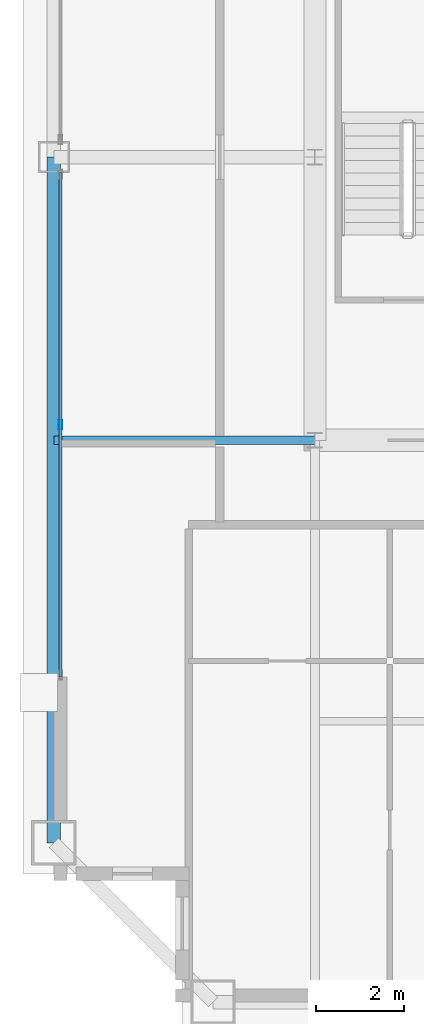
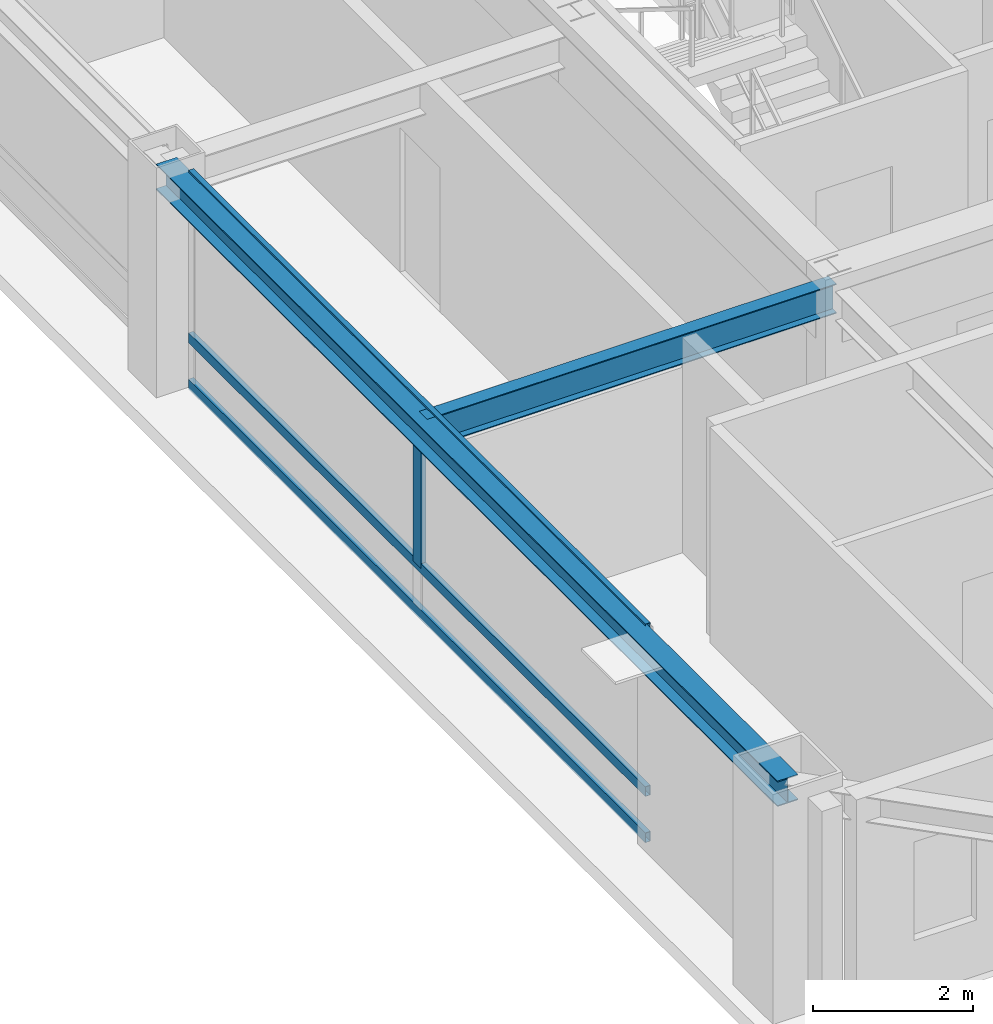
# One storey, part 6 of 34: 4 members, 2 beams, 1 element without a shape of its own.
"""IFC4 building model written with IfcOpenShell, lengths in metres."""

from ifc_helpers import new_model, si_unit, direction, frame, origin, origin_2d, place, context, subcontext, project, spatial, hollow_rectangle, i_section, extrude, source, transform, mapped, material, layer, layer_set, material_profile, profile_set, type_object, element, aggregate, save


model = new_model("IFC4")

# Units and contexts
model_context = context("Model", 3, precision=1e-05, world=origin(), true_north=direction((0.0, 1.0)))
body_context = subcontext(model_context, "Body", "Model", "MODEL_VIEW")
ifc_project = project(units=[si_unit("LENGTHUNIT", "METRE"), si_unit("AREAUNIT", "SQUARE_METRE"), si_unit("VOLUMEUNIT", "CUBIC_METRE"), si_unit("PLANEANGLEUNIT", "RADIAN"), si_unit("MASSUNIT", "GRAM", prefix="KILO"), si_unit("THERMODYNAMICTEMPERATUREUNIT", "KELVIN"), si_unit("POWERUNIT", "WATT")], contexts=[model_context])

# Site, building, storey
site_placement = place(None, origin())
site = spatial("IfcSite", under=ifc_project, at=site_placement, CompositionType="ELEMENT")
building_placement = place(site_placement, origin())
building = spatial("IfcBuilding", under=site, at=building_placement, Name="Yuzanri Waterfront Tower", CompositionType="ELEMENT")
storey_placement = place(building_placement, frame((0.0, 0.0, 325.199951171875)))
storey = spatial("IfcBuildingStorey", under=building, at=storey_placement, Name="L87", CompositionType="ELEMENT", Elevation=325.199951171875)

# Beams
ifc_material_1 = material(Name="Steel Q355B", Category="steel")
ifc_material_profile_1 = material_profile(ifc_material_1, i_section(OverallWidth=0.300048828125, OverallDepth=0.389892578125, WebThickness=0.010009765625, FlangeThickness=0.01611328125, at=origin_2d()), Name="HM 390x300x10x16")
ifc_profile_set_1 = profile_set([ifc_material_profile_1], Name="Steel Q355B")
beam_type_1 = type_object("IfcBeamType", Name="Perimeter Spandrel Q355B HM 390x300", PredefinedType="SPANDREL", material=ifc_profile_set_1)
shared_shape_1 = source(origin(), body_context, "Body", "SweptSolid", [
    extrude(i_section(OverallWidth=0.300048828125, OverallDepth=0.389892578125, WebThickness=0.010009765625, FlangeThickness=0.01611328125, at=origin_2d()), origin(), (0.0, 0.0, 1.0), 15.5),
])
beam_1_placement = place(storey_placement, frame((17.89990234375, 25.800048828125, 3.0849609375), z_axis=(0.0, -1.0, 0.0), x_axis=(1.0, 0.0, 0.0)))
element("IfcBeam", 1, at=beam_1_placement, inside=storey, type_object=beam_type_1, Name="L87 Perimeter Spandrel W2-W1", PredefinedType="SPANDREL", context=body_context, shape_type="MappedRepresentation", body=[
    mapped(shared_shape_1, transform((0.0, 0.0, 0.0), scale=1.0)),
])
ifc_material_2 = material(Name="Steel Q355B", Category="steel")
ifc_material_profile_2 = material_profile(ifc_material_2, i_section(OverallWidth=0.199951171875, OverallDepth=0.449951171875, WebThickness=0.009033203125, FlangeThickness=0.013916015625, at=origin_2d()), Name="HN 450x200x9x14")
ifc_profile_set_2 = profile_set([ifc_material_profile_2], Name="Steel Q355B")
beam_type_2 = type_object("IfcBeamType", Name="Secondary Floor Beam Q355B HN 450x200", PredefinedType="BEAM", material=ifc_profile_set_2)
shared_shape_2 = source(origin(), body_context, "Body", "SweptSolid", [
    extrude(i_section(OverallWidth=0.199951171875, OverallDepth=0.449951171875, WebThickness=0.009033203125, FlangeThickness=0.013916015625, at=origin_2d()), origin(), (0.0, 0.0, 1.0), 5.900146484375),
])
beam_2_placement = place(storey_placement, frame((23.800048828125, 19.39990234375, 3.054931640625), z_axis=(-1.0, 0.0, 0.0), x_axis=(0.0, -1.0, 0.0)))
element("IfcBeam", 2, at=beam_2_placement, inside=storey, type_object=beam_type_2, Name="L87 West-South Core Line Beam", PredefinedType="BEAM", context=body_context, shape_type="MappedRepresentation", body=[
    mapped(shared_shape_2, transform((0.0, 0.0, 0.0), scale=1.0)),
])

# Curtain wall, members
ifc_material_3 = material(Name="Anodized Architectural Bronze", Category="metal")
ifc_layer = layer(ifc_material_3, 0.159912109375)
ifc_layer_set = layer_set([ifc_layer], Name="Anodized Architectural Bronze")
curtain_wall_type = type_object("IfcCurtainWallType", Name="Anodized Bronze High-Rise Penthouse High-Wind Unitized Curtain Wall 6900", PredefinedType="NOTDEFINED", material=ifc_layer_set)
curtain_wall_placement = place(storey_placement, origin())
curtain_wall = element("IfcCurtainWall", 3, at=curtain_wall_placement, inside=storey, type_object=curtain_wall_type, Name="L87 Curtain Wall CW-L87-WL", PredefinedType="NOTDEFINED")
ifc_material_4 = material(Name="Anodized Architectural Bronze", Category="metal")
ifc_material_profile_3 = material_profile(ifc_material_4, hollow_rectangle(XDim=0.074951171875, YDim=0.199951171875, WallThickness=0.00390625, at=origin_2d()), Name="CWM 75x200")
ifc_profile_set_3 = profile_set([ifc_material_profile_3], Name="Anodized Architectural Bronze")
member_type_1 = type_object("IfcMemberType", Name="Anodized Bronze Primary Curtain-Wall Mullion 75x200", PredefinedType="MULLION", material=ifc_profile_set_3)
shared_shape_3 = source(origin(), body_context, "Body", "SweptSolid", [
    extrude(hollow_rectangle(XDim=0.074951171875, YDim=0.199951171875, WallThickness=0.00390625, at=origin_2d()), origin(), (0.0, 0.0, 1.0), 2.52392578125),
])
member_1_placement = place(storey_placement, frame((18.050048828125, 19.75, 0.756103515625), z_axis=(0.0, 0.0, 1.0), x_axis=(1.0, 0.0, 0.0)))
member_1 = element("IfcMember", 4, at=member_1_placement, type_object=member_type_1, Name="CW-L87-WL Upper Mullion 01", PredefinedType="MULLION", context=body_context, shape_type="MappedRepresentation", body=[
    mapped(shared_shape_3, transform((0.0, 0.0, 0.0), scale=1.0)),
])
ifc_material_5 = material(Name="Anodized Architectural Bronze", Category="metal")
ifc_material_profile_4 = material_profile(ifc_material_5, hollow_rectangle(XDim=0.074951171875, YDim=0.14990234375, WallThickness=0.00390625, at=origin_2d()), Name="CWT 75x150")
ifc_profile_set_4 = profile_set([ifc_material_profile_4], Name="Anodized Architectural Bronze")
member_type_2 = type_object("IfcMemberType", Name="Anodized Bronze Primary Curtain-Wall Transom 75x150", PredefinedType="USERDEFINED", material=ifc_profile_set_4)
shared_shape_4 = source(origin(), body_context, "Body", "SweptSolid", [
    extrude(hollow_rectangle(XDim=0.074951171875, YDim=0.14990234375, WallThickness=0.00390625, at=origin_2d()), origin(), (0.0, 0.0, 1.0), 11.39990234375),
])
member_2_placement = place(storey_placement, frame((18.050048828125, 14.050048828125, 0.050048828125), z_axis=(0.0, 1.0, 0.0), x_axis=(-1.0, 0.0, 0.0)))
member_2 = element("IfcMember", 5, at=member_2_placement, type_object=member_type_2, Name="CW-L87-WL Transom 1", ObjectType="TRANSOM", PredefinedType="USERDEFINED", context=body_context, shape_type="MappedRepresentation", body=[
    mapped(shared_shape_4, transform((0.0, 0.0, 0.0), scale=1.0)),
])
member_3_placement = place(storey_placement, frame((18.050048828125, 14.050048828125, 0.754150390625), z_axis=(0.0, 1.0, 0.0), x_axis=(-1.0, 0.0, 0.0)))
member_3 = element("IfcMember", 6, at=member_3_placement, type_object=member_type_2, Name="CW-L87-WL Transom 2", ObjectType="TRANSOM", PredefinedType="USERDEFINED", context=body_context, shape_type="MappedRepresentation", body=[
    mapped(shared_shape_4, transform((0.0, 0.0, 0.0), scale=1.0)),
])
member_4_placement = place(storey_placement, frame((18.050048828125, 14.050048828125, 3.22998046875), z_axis=(0.0, 1.0, 0.0), x_axis=(-1.0, 0.0, 0.0)))
member_4 = element("IfcMember", 7, at=member_4_placement, type_object=member_type_2, Name="CW-L87-WL Transom 3", ObjectType="TRANSOM", PredefinedType="USERDEFINED", context=body_context, shape_type="MappedRepresentation", body=[
    mapped(shared_shape_4, transform((0.0, 0.0, 0.0), scale=1.0)),
])
aggregate(curtain_wall, [member_1, member_2, member_3, member_4])

save(model, "model.ifc")
